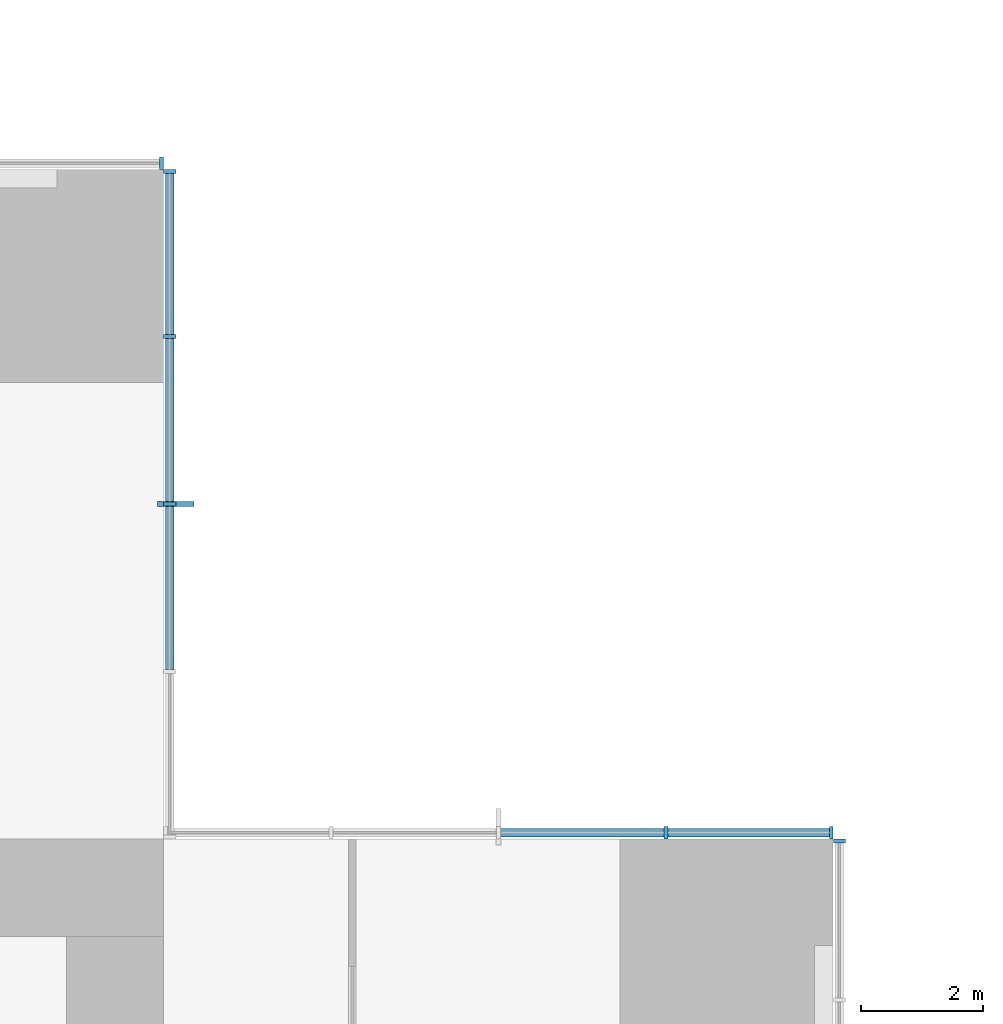
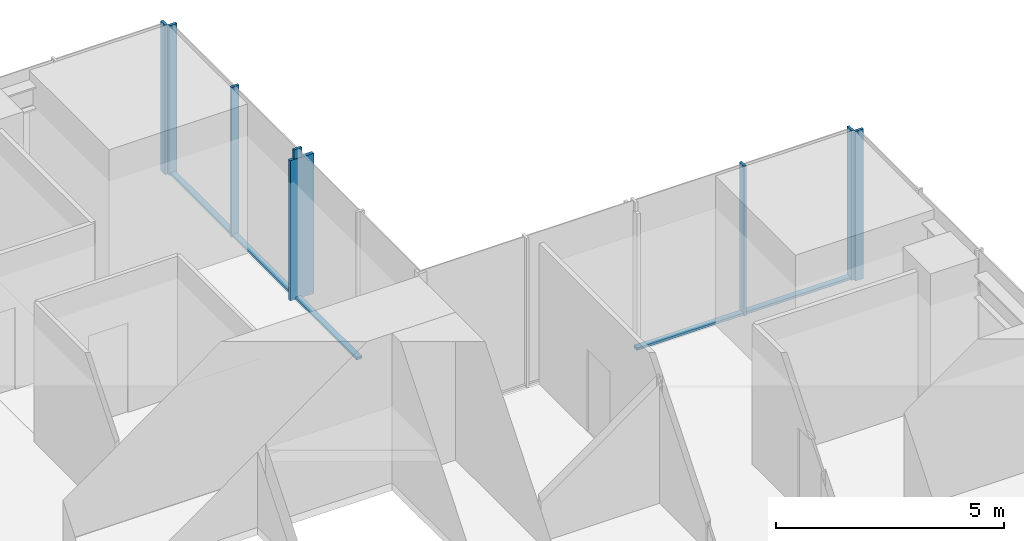
# One storey, part 6 of 13: 13 members, 4 elements without a shape of their own.
"""IFC4 building model written with IfcOpenShell, lengths in metres."""

from ifc_helpers import new_model, si_unit, direction, frame, origin, origin_2d, place, context, subcontext, project, spatial, rectangle, extrude, material, material_profile, profile_set, type_object, element, aggregate, save


model = new_model("IFC4")

# Units and contexts
model_context = context("Model", 3, precision=1e-05, world=origin(), true_north=direction((0.0, 1.0)))
body_context = subcontext(model_context, "Body", "Model", "MODEL_VIEW")
ifc_project = project(units=[si_unit("LENGTHUNIT", "METRE"), si_unit("AREAUNIT", "SQUARE_METRE"), si_unit("VOLUMEUNIT", "CUBIC_METRE"), si_unit("PLANEANGLEUNIT", "RADIAN"), si_unit("MASSUNIT", "GRAM", prefix="KILO")], contexts=[model_context])

# Site, building, storey
site_placement = place(None, origin())
site = spatial("IfcSite", under=ifc_project, at=site_placement, CompositionType="ELEMENT")
building_placement = place(site_placement, origin())
building = spatial("IfcBuilding", under=site, at=building_placement, Name="Svetlomir Tower", CompositionType="ELEMENT")
storey_placement = place(building_placement, frame((0.0, 0.0, 96.5)))
storey = spatial("IfcBuildingStorey", under=building, at=storey_placement, Name="L22", CompositionType="ELEMENT", Elevation=96.5)

# Curtain wall, member
ifc_material_1 = material(Name="Bronze anodised aluminium curtain wall", Category="aluminium")
curtain_wall_type = type_object("IfcCurtainWallType", Name="CURTAIN WALL CW1 TOWER OFFICE", PredefinedType="NOTDEFINED", material=ifc_material_1)
curtain_wall_1_placement = place(storey_placement, origin())
curtain_wall_1 = element("IfcCurtainWall", 1, at=curtain_wall_1_placement, inside=storey, type_object=curtain_wall_type, Name="Curtain wall CW1 L22", PredefinedType="NOTDEFINED")
ifc_material_2 = material(Name="Bronze anodised aluminium", Category="aluminium")
ifc_material_profile_1 = material_profile(ifc_material_2, rectangle(XDim=0.080078125, YDim=0.60009765625, at=origin_2d()), Name="FIN 80x600")
ifc_profile_set_1 = profile_set([ifc_material_profile_1], Name="Bronze anodised aluminium 6063-T6")
member_type_1 = type_object("IfcMemberType", Name="BRONZE FIN 80x600", PredefinedType="USERDEFINED", material=ifc_profile_set_1)
member_1_placement = place(storey_placement, frame((31.199951171875, 36.5, 0.0), z_axis=(0.0, 0.0, 1.0), x_axis=(0.0, 1.0, 0.0)))
member_1 = element("IfcMember", 2, at=member_1_placement, type_object=member_type_1, Name="Bronze fin L22", ObjectType="FIN", PredefinedType="USERDEFINED", context=body_context, shape_type="SweptSolid", body=[
    extrude(rectangle(XDim=0.080078125, YDim=0.60009765625, at=origin_2d()), origin(), (0.0, 0.0, 1.0), 3.75),
])

curtain_wall_2_placement = place(storey_placement, origin())
curtain_wall_2 = element("IfcCurtainWall", 3, at=curtain_wall_2_placement, inside=storey, type_object=curtain_wall_type, Name="Curtain wall CW1 L22", PredefinedType="NOTDEFINED")
ifc_material_3 = material(Name="Bronze anodised aluminium", Category="aluminium")
ifc_material_profile_2 = material_profile(ifc_material_3, rectangle(XDim=0.06494140625, YDim=0.199951171875, at=origin_2d()), Name="AL 65x200")
ifc_profile_set_2 = profile_set([ifc_material_profile_2], Name="Bronze anodised aluminium 6063-T6")
member_type_2 = type_object("IfcMemberType", Name="CW1 MULLION 65x200", PredefinedType="MULLION", material=ifc_profile_set_2)
member_2_placement = place(storey_placement, frame((42.10009765625, 30.967529296875, 0.0), z_axis=(0.0, 0.0, 1.0), x_axis=(0.0, 1.0, 0.0)))
member_2 = element("IfcMember", 4, at=member_2_placement, type_object=member_type_2, Name="CW1 mullion 5", PredefinedType="MULLION", context=body_context, shape_type="SweptSolid", body=[
    extrude(rectangle(XDim=0.06494140625, YDim=0.199951171875, at=origin_2d()), origin(), (0.0, 0.0, 1.0), 4.0),
])
aggregate(curtain_wall_2, [member_2])

# Curtain wall, members
curtain_wall_3_placement = place(storey_placement, origin())
curtain_wall_3 = element("IfcCurtainWall", 5, at=curtain_wall_3_placement, inside=storey, type_object=curtain_wall_type, Name="Curtain wall CW1 L22", PredefinedType="NOTDEFINED")
member_3_placement = place(storey_placement, frame((41.967529296875, 31.10009765625, 0.0), z_axis=(0.0, 0.0, 1.0), x_axis=(-1.0, 0.0, 0.0)))
member_3 = element("IfcMember", 6, at=member_3_placement, type_object=member_type_2, Name="CW1 mullion 1", PredefinedType="MULLION", context=body_context, shape_type="SweptSolid", body=[
    extrude(rectangle(XDim=0.06494140625, YDim=0.199951171875, at=origin_2d()), origin(), (0.0, 0.0, 1.0), 4.0),
])
member_4_placement = place(storey_placement, frame((39.25, 31.10009765625, 0.0), z_axis=(0.0, 0.0, 1.0), x_axis=(-1.0, 0.0, 0.0)))
member_4 = element("IfcMember", 7, at=member_4_placement, type_object=member_type_2, Name="CW1 mullion 2", PredefinedType="MULLION", context=body_context, shape_type="SweptSolid", body=[
    extrude(rectangle(XDim=0.06494140625, YDim=0.199951171875, at=origin_2d()), origin(), (0.0, 0.0, 1.0), 4.0),
])

# Member
member_5_placement = place(storey_placement, frame((31.10009765625, 36.5, 0.0), z_axis=(0.0, 0.0, 1.0), x_axis=(0.0, 1.0, 0.0)))
member_5 = element("IfcMember", 8, at=member_5_placement, type_object=member_type_2, Name="CW1 mullion 3", PredefinedType="MULLION", context=body_context, shape_type="SweptSolid", body=[
    extrude(rectangle(XDim=0.06494140625, YDim=0.199951171875, at=origin_2d()), origin(), (0.0, 0.0, 1.0), 4.0),
])

member_6_placement = place(storey_placement, frame((31.10009765625, 39.25, 0.0), z_axis=(0.0, 0.0, 1.0), x_axis=(0.0, 1.0, 0.0)))
member_6 = element("IfcMember", 9, at=member_6_placement, type_object=member_type_2, Name="CW1 mullion 4", PredefinedType="MULLION", context=body_context, shape_type="SweptSolid", body=[
    extrude(rectangle(XDim=0.06494140625, YDim=0.199951171875, at=origin_2d()), origin(), (0.0, 0.0, 1.0), 4.0),
])

member_7_placement = place(storey_placement, frame((31.10009765625, 41.967529296875, 0.0), z_axis=(0.0, 0.0, 1.0), x_axis=(0.0, 1.0, 0.0)))
member_7 = element("IfcMember", 10, at=member_7_placement, type_object=member_type_2, Name="CW1 mullion 5", PredefinedType="MULLION", context=body_context, shape_type="SweptSolid", body=[
    extrude(rectangle(XDim=0.06494140625, YDim=0.199951171875, at=origin_2d()), origin(), (0.0, 0.0, 1.0), 4.0),
])

# Curtain wall, member
curtain_wall_4_placement = place(storey_placement, origin())
curtain_wall_4 = element("IfcCurtainWall", 11, at=curtain_wall_4_placement, inside=storey, type_object=curtain_wall_type, Name="Curtain wall CW1 L22", PredefinedType="NOTDEFINED")
member_8_placement = place(storey_placement, frame((30.967529296875, 42.10009765625, 0.0), z_axis=(0.0, 0.0, 1.0), x_axis=(-1.0, 0.0, 0.0)))
member_8 = element("IfcMember", 12, at=member_8_placement, type_object=member_type_2, Name="CW1 mullion 1", PredefinedType="MULLION", context=body_context, shape_type="SweptSolid", body=[
    extrude(rectangle(XDim=0.06494140625, YDim=0.199951171875, at=origin_2d()), origin(), (0.0, 0.0, 1.0), 4.0),
])
aggregate(curtain_wall_4, [member_8])

# Member
ifc_material_4 = material(Name="Bronze anodised aluminium", Category="aluminium")
ifc_material_profile_3 = material_profile(ifc_material_4, rectangle(XDim=0.139892578125, YDim=0.06494140625, at=origin_2d()), Name="AL 140x65")
ifc_profile_set_3 = profile_set([ifc_material_profile_3], Name="Bronze anodised aluminium 6063-T6")
member_type_3 = type_object("IfcMemberType", Name="CW1 TRANSOM 65x140", PredefinedType="USERDEFINED", material=ifc_profile_set_3)
member_9_placement = place(storey_placement, frame((41.93505859375, 31.10009765625, 0.032470703125), z_axis=(-1.0, 0.0, 0.0), x_axis=(0.0, -1.0, 0.0)))
member_9 = element("IfcMember", 13, at=member_9_placement, type_object=member_type_3, Name="CW1 transom 1.1", ObjectType="TRANSOM", PredefinedType="USERDEFINED", context=body_context, shape_type="SweptSolid", body=[
    extrude(rectangle(XDim=0.139892578125, YDim=0.06494140625, at=origin_2d()), origin(), (0.0, 0.0, 1.0), 2.652587890625),
])

member_10_placement = place(storey_placement, frame((39.217529296875, 31.10009765625, 0.032470703125), z_axis=(-1.0, 0.0, 0.0), x_axis=(0.0, -1.0, 0.0)))
member_10 = element("IfcMember", 14, at=member_10_placement, type_object=member_type_3, Name="CW1 transom 2.1", ObjectType="TRANSOM", PredefinedType="USERDEFINED", context=body_context, shape_type="SweptSolid", body=[
    extrude(rectangle(XDim=0.139892578125, YDim=0.06494140625, at=origin_2d()), origin(), (0.0, 0.0, 1.0), 2.68505859375),
])

aggregate(curtain_wall_3, [member_3, member_4, member_9, member_10])

member_11_placement = place(storey_placement, frame((31.10009765625, 33.782470703125, 0.032470703125), z_axis=(0.0, 1.0, 0.0), x_axis=(-1.0, 0.0, 0.0)))
member_11 = element("IfcMember", 15, at=member_11_placement, type_object=member_type_3, Name="CW1 transom 2.1", ObjectType="TRANSOM", PredefinedType="USERDEFINED", context=body_context, shape_type="SweptSolid", body=[
    extrude(rectangle(XDim=0.139892578125, YDim=0.06494140625, at=origin_2d()), origin(), (0.0, 0.0, 1.0), 2.68505859375),
])

member_12_placement = place(storey_placement, frame((31.10009765625, 36.532470703125, 0.032470703125), z_axis=(0.0, 1.0, 0.0), x_axis=(-1.0, 0.0, 0.0)))
member_12 = element("IfcMember", 16, at=member_12_placement, type_object=member_type_3, Name="CW1 transom 3.1", ObjectType="TRANSOM", PredefinedType="USERDEFINED", context=body_context, shape_type="SweptSolid", body=[
    extrude(rectangle(XDim=0.139892578125, YDim=0.06494140625, at=origin_2d()), origin(), (0.0, 0.0, 1.0), 2.68505859375),
])

member_13_placement = place(storey_placement, frame((31.10009765625, 39.282470703125, 0.032470703125), z_axis=(0.0, 1.0, 0.0), x_axis=(-1.0, 0.0, 0.0)))
member_13 = element("IfcMember", 17, at=member_13_placement, type_object=member_type_3, Name="CW1 transom 4.1", ObjectType="TRANSOM", PredefinedType="USERDEFINED", context=body_context, shape_type="SweptSolid", body=[
    extrude(rectangle(XDim=0.139892578125, YDim=0.06494140625, at=origin_2d()), origin(), (0.0, 0.0, 1.0), 2.652587890625),
])

aggregate(curtain_wall_1, [member_5, member_6, member_7, member_11, member_12, member_13, member_1])

save(model, "model.ifc")
